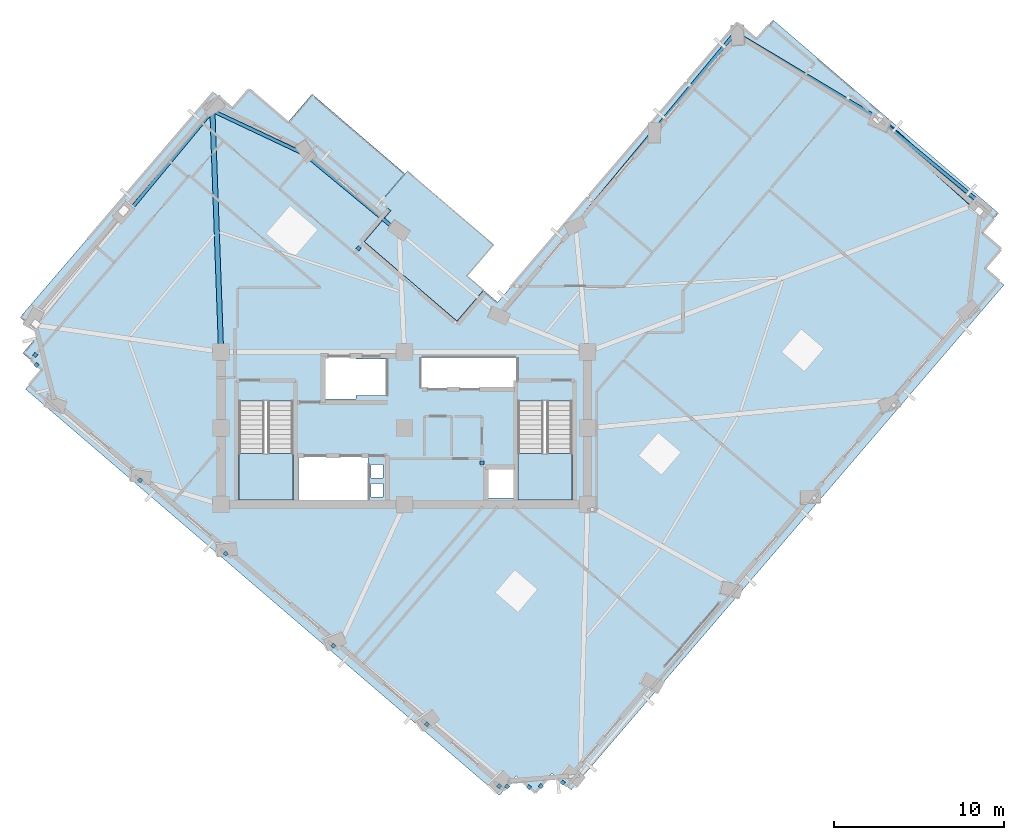
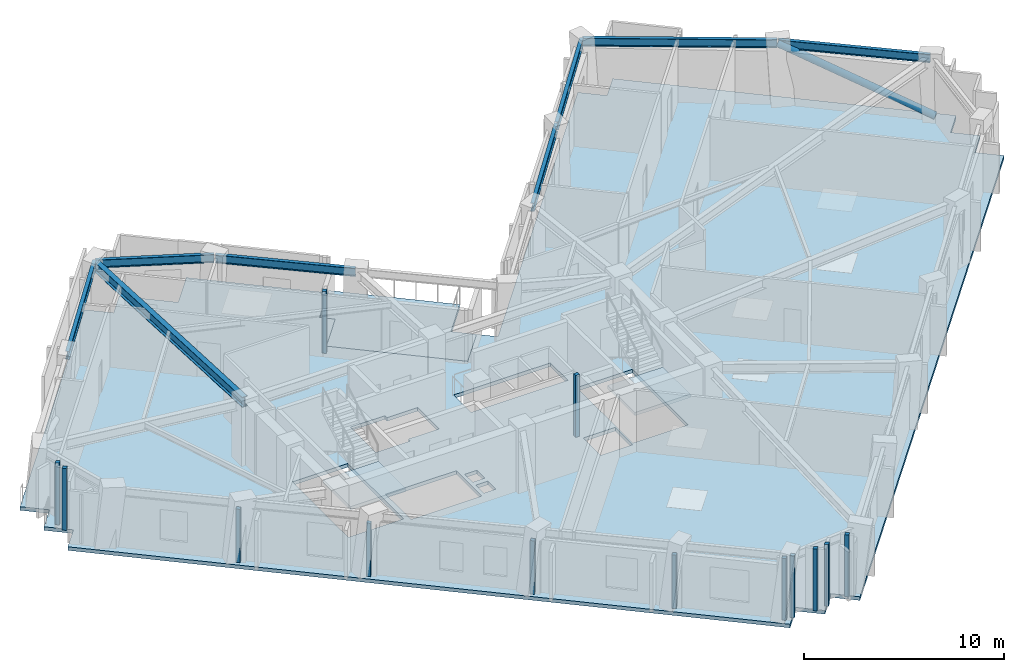
# One storey, part 3 of 12: 13 plates, 8 beams, 4 slabs, 1 member, 2 elements without a shape of their own.
"""IFC4 building model written with IfcOpenShell, lengths in metres."""

from ifc_helpers import new_model, si_unit, direction, frame, origin, origin_2d, place, context, subcontext, project, spatial, polyline, rectangle, hollow_circle, i_section, outline, extrude, material, layer, layer_set, material_profile, profile_set, type_object, element, aggregate, save


model = new_model("IFC4")

# Units and contexts
model_context = context("Model", 3, precision=1e-05, world=origin(), true_north=direction((0.0, 1.0)))
body_context = subcontext(model_context, "Body", "Model", "MODEL_VIEW")
ifc_project = project(units=[si_unit("LENGTHUNIT", "METRE"), si_unit("AREAUNIT", "SQUARE_METRE"), si_unit("VOLUMEUNIT", "CUBIC_METRE"), si_unit("PLANEANGLEUNIT", "RADIAN"), si_unit("MASSUNIT", "GRAM", prefix="KILO")], contexts=[model_context])

# Site, building, storey
site_placement = place(None, origin())
site = spatial("IfcSite", under=ifc_project, at=site_placement, CompositionType="ELEMENT")
building_placement = place(site_placement, origin())
building = spatial("IfcBuilding", under=site, at=building_placement, Name="Gaonmaruhae Medical Tower", CompositionType="ELEMENT")
storey_placement = place(building_placement, frame((0.0, 0.0, 235.199951171875)))
storey = spatial("IfcBuildingStorey", under=building, at=storey_placement, Name="L56", CompositionType="ELEMENT", Elevation=235.199951171875)

# Member
ifc_material_1 = material(Name="Steel SM420", Category="steel")
ifc_material_profile_1 = material_profile(ifc_material_1, hollow_circle(Radius=0.203125, WallThickness=0.0126953125, at=origin_2d()), Name="CHS-406.4x12.7")
ifc_profile_set_1 = profile_set([ifc_material_profile_1], Name="Steel SM420")
member_type = type_object("IfcMemberType", Name="PB-02 Perimeter Solid-Bay Tube Brace Mid (CHS-406.4x12.7)", PredefinedType="BRACE", material=ifc_profile_set_1)
member_placement = place(storey_placement, frame((58.74755859375, 25.1748046875, 0.25), z_axis=(-0.689819410714, 0.618592014787, 0.376155685646), x_axis=(-0.667624728673, -0.744497966192, 0.0)))
element("IfcMember", 1, at=member_placement, inside=storey, type_object=member_type, Name="L56 Perimeter Tube Solid-Bay Brace E01-E02", PredefinedType="BRACE", context=body_context, shape_type="SweptSolid", body=[
    extrude(hollow_circle(Radius=0.203125, WallThickness=0.0126953125, at=origin_2d()), origin(), (0.0, 0.0, 1.0), 8.719970703125),
])

# Beams
ifc_material_profile_2 = material_profile(ifc_material_1, i_section(OverallWidth=0.300048828125, OverallDepth=0.60009765625, WebThickness=0.011962890625, FlangeThickness=0.02001953125, FilletRadius=0.012939453125, at=origin_2d()), Name="H-600x300x12x20")
ifc_profile_set_2 = profile_set([ifc_material_profile_2], Name="Steel SM420")
beam_type_1 = type_object("IfcBeamType", Name="PG-04 Zone 4 Radial Floor Girder (H-600x300x12x20)", PredefinedType="BEAM", material=ifc_profile_set_2)
beam_1_placement = place(storey_placement, frame((13.998291015625, 16.849853515625, 3.47998046875), z_axis=(-0.036027592816, 0.999350795545, 0.0), x_axis=(-0.999350795545, -0.036027592816, 0.0)))
element("IfcBeam", 2, at=beam_1_placement, inside=storey, type_object=beam_type_1, Name="L56 Radial Primary Girder N01", PredefinedType="BEAM", context=body_context, shape_type="SweptSolid", body=[
    extrude(i_section(OverallWidth=0.300048828125, OverallDepth=0.60009765625, WebThickness=0.011962890625, FlangeThickness=0.02001953125, FilletRadius=0.012939453125, at=origin_2d()), origin(), (0.0, 0.0, 1.0), 14.122314453125),
])
ifc_material_2 = material(Name="Steel SM355", Category="steel")
ifc_material_profile_3 = material_profile(ifc_material_2, i_section(OverallWidth=0.199951171875, OverallDepth=0.5, WebThickness=0.010009765625, FlangeThickness=0.01611328125, FilletRadius=0.012939453125, at=origin_2d()), Name="H-500x200x10x16")
ifc_profile_set_3 = profile_set([ifc_material_profile_3], Name="Steel SM355")
beam_type_2 = type_object("IfcBeamType", Name="SP-02 Upper Perimeter Spandrel Beam (H-500x200x10x16)", PredefinedType="SPANDREL", material=ifc_profile_set_3)
beam_2_placement = place(storey_placement, frame((58.707275390625, 25.6171875, 3.530029296875), z_axis=(-0.769962961925, 0.638088581048, 0.0), x_axis=(-0.638088581048, -0.769962961925, 0.0)))
element("IfcBeam", 3, at=beam_2_placement, inside=storey, type_object=beam_type_2, Name="L56 Perimeter Spandrel Beam E01-E02", PredefinedType="SPANDREL", context=body_context, shape_type="SweptSolid", body=[
    extrude(i_section(OverallWidth=0.199951171875, OverallDepth=0.5, WebThickness=0.010009765625, FlangeThickness=0.01611328125, FilletRadius=0.012939453125, at=origin_2d()), origin(), (0.0, 0.0, 1.0), 7.719970703125),
])
beam_3_placement = place(storey_placement, frame((52.697998046875, 30.58935546875, 3.530029296875), z_axis=(-0.858427487106, 0.51293493679, 0.0), x_axis=(-0.51293493679, -0.858427487106, 0.0)))
element("IfcBeam", 4, at=beam_3_placement, inside=storey, type_object=beam_type_2, Name="L56 Perimeter Spandrel Beam E02-E03", PredefinedType="SPANDREL", context=body_context, shape_type="SweptSolid", body=[
    extrude(i_section(OverallWidth=0.199951171875, OverallDepth=0.5, WebThickness=0.010009765625, FlangeThickness=0.01611328125, FilletRadius=0.012939453125, at=origin_2d()), origin(), (0.0, 0.0, 1.0), 9.7353515625),
])
beam_4_placement = place(storey_placement, frame((44.281005859375, 35.572509765625, 3.530029296875), z_axis=(-0.638105342571, -0.769949070902, 0.0), x_axis=(0.769949070902, -0.638105342571, 0.0)))
element("IfcBeam", 5, at=beam_4_placement, inside=storey, type_object=beam_type_2, Name="L56 Perimeter Spandrel Beam E03-EN01", PredefinedType="SPANDREL", context=body_context, shape_type="SweptSolid", body=[
    extrude(i_section(OverallWidth=0.199951171875, OverallDepth=0.5, WebThickness=0.010009765625, FlangeThickness=0.01611328125, FilletRadius=0.012939453125, at=origin_2d()), origin(), (0.0, 0.0, 1.0), 7.469970703125),
])
for number, where, z_axis, x_axis, name in (
    (6, (39.46337890625, 29.759521484375, 3.530029296875), (-0.638087569109, -0.769963800545, 0.0), (0.769963800545, -0.638087569109, 0.0), "L56 Perimeter Spandrel Beam EN01-EN02"),
    (7, (24.4619140625, 23.8662109375, 3.510009765625), (-0.769963800545, 0.638087569109, 0.0), (-0.638087569109, -0.769963800545, 0.0), "L56 Perimeter Spandrel Beam NE01-NE02"),
):
    element("IfcBeam", number, at=place(storey_placement, frame(where, z_axis=z_axis, x_axis=x_axis)), inside=storey, type_object=beam_type_2, Name=name, PredefinedType="SPANDREL", context=body_context, shape_type="SweptSolid", body=[
        extrude(i_section(OverallWidth=0.199951171875, OverallDepth=0.5, WebThickness=0.010009765625, FlangeThickness=0.01611328125, FilletRadius=0.012939453125, at=origin_2d()), origin(), (0.0, 0.0, 1.0), 7.1201171875),
    ])
beam_5_placement = place(storey_placement, frame((18.912841796875, 28.451904296875, 3.530029296875), z_axis=(-0.904301808561, 0.426893709292, 0.0), x_axis=(-0.426893709292, -0.904301808561, 0.0)))
element("IfcBeam", 8, at=beam_5_placement, inside=storey, type_object=beam_type_2, Name="L56 Perimeter Spandrel Beam NE02-N01", PredefinedType="SPANDREL", context=body_context, shape_type="SweptSolid", body=[
    extrude(i_section(OverallWidth=0.199951171875, OverallDepth=0.5, WebThickness=0.010009765625, FlangeThickness=0.01611328125, FilletRadius=0.012939453125, at=origin_2d()), origin(), (0.0, 0.0, 1.0), 5.959228515625),
])
beam_6_placement = place(storey_placement, frame((13.462158203125, 30.98193359375, 3.530029296875), z_axis=(-0.638105979636, -0.769948542926, 0.0), x_axis=(0.769948542926, -0.638105979636, 0.0)))
element("IfcBeam", 9, at=beam_6_placement, inside=storey, type_object=beam_type_2, Name="L56 Perimeter Spandrel Beam N01-N02", PredefinedType="SPANDREL", context=body_context, shape_type="SweptSolid", body=[
    extrude(i_section(OverallWidth=0.199951171875, OverallDepth=0.5, WebThickness=0.010009765625, FlangeThickness=0.01611328125, FilletRadius=0.012939453125, at=origin_2d()), origin(), (0.0, 0.0, 1.0), 8.119873046875),
])

# Slab
ifc_material_3 = material(Name="Concrete C40/50", Category="concrete")
ifc_layer_1 = layer(ifc_material_3, 0.219970703125)
ifc_layer_set_1 = layer_set([ifc_layer_1], Name="Concrete C40/50")
slab_type_1 = type_object("IfcSlabType", Name="FS-220 Clinical Ward Composite Floor Slab", PredefinedType="FLOOR", material=ifc_layer_set_1)
slab_1_placement = place(storey_placement, frame((0.0, 0.0, -0.219970703125)))
element("IfcSlab", 10, at=slab_1_placement, inside=storey, type_object=slab_type_1, Name="L56 Structural Slab 1", PredefinedType="FLOOR", context=body_context, shape_type="SweptSolid", body=[
    extrude(outline(polyline([(44.424560546875, 36.199951171875), (45.5634765625, 35.223876953125), (46.53955078125, 36.36279296875), (59.826904296875, 24.97412109375), (58.8505859375, 23.835205078125), (59.989501953125, 22.859130859375), (59.013427734375, 21.72021484375), (60.15234375, 20.743896484375), (34.64208984375, -9.019287109375), (33.503173828125, -8.043212890625), (32.527099609375, -9.18212890625), (31.38818359375, -8.2060546875), (30.411865234375, -9.344970703125), (2.470703125, 14.603515625), (3.447021484375, 15.742431640625), (2.30810546875, 16.718505859375), (3.2841796875, 17.857421875), (2.145263671875, 18.833740234375), (13.53369140625, 32.120849609375), (14.672607421875, 31.144775390625), (15.648681640625, 32.28369140625), (17.93115234375, 30.327392578125), (19.36279296875, 31.997802734375), (24.82958984375, 27.312255859375), (23.39794921875, 25.641845703125), (24.00537109375, 25.121337890625), (22.443603515625, 23.299072265625), (27.910400390625, 18.61328125), (29.47216796875, 20.435791015625), (30.302734375, 19.723876953125), (44.424560546875, 36.199951171875)]), holes=[polyline([(23.550048828125, 8.25), (22.85009765625, 8.25), (22.85009765625, 9.050048828125), (23.550048828125, 9.050048828125), (23.550048828125, 8.25)]), polyline([(31.425048828125, 9.925048828125), (31.425048828125, 8.175048828125), (29.574951171875, 8.175048828125), (29.574951171875, 9.925048828125), (31.425048828125, 9.925048828125)]), polyline([(22.64990234375, 10.625), (22.64990234375, 8.074951171875), (18.550048828125, 8.074951171875), (18.550048828125, 10.625), (22.64990234375, 10.625)]), polyline([(23.550048828125, 9.35009765625), (22.85009765625, 9.35009765625), (22.85009765625, 10.14990234375), (23.550048828125, 10.14990234375), (23.550048828125, 9.35009765625)]), polyline([(15.050048828125, 13.889892578125), (18.25, 13.889892578125), (18.25, 8.300048828125), (15.050048828125, 8.300048828125), (15.050048828125, 13.889892578125)]), polyline([(31.5, 13.889892578125), (34.699951171875, 13.889892578125), (34.699951171875, 8.300048828125), (31.5, 8.300048828125), (31.5, 13.889892578125)]), polyline([(21.949951171875, 14.22509765625), (21.949951171875, 14.02490234375), (19.949951171875, 14.02490234375), (19.949951171875, 16.574951171875), (21.949951171875, 16.574951171875), (21.949951171875, 16.375), (23.72509765625, 16.375), (23.72509765625, 14.22509765625), (21.949951171875, 14.22509765625)]), polyline([(31.425048828125, 16.425048828125), (31.425048828125, 14.675048828125), (25.824951171875, 14.675048828125), (25.824951171875, 16.425048828125), (31.425048828125, 16.425048828125)])]), origin(), (0.0, 0.0, 1.0), 0.219970703125),
])

# Plates
ifc_material_4 = material(Name="Anodised aluminium 6063-T6", Category="aluminium")
ifc_layer_2 = layer(ifc_material_4, 0.011962890625)
ifc_layer_set_2 = layer_set([ifc_layer_2], Name="Anodised aluminium 6063-T6")
plate_type = type_object("IfcPlateType", Name="PP-01 Interior Partition Corner Stiffener Plate", PredefinedType="SHEET", material=ifc_layer_set_2)
for number, where, z_axis, x_axis, name in (
    (11, (29.3798828125, 10.260009765625, 0.0), (0.0, 0.0, 1.0), (0.0, -1.0, 0.0), "L56 Partition Corner Stiffener Plate PLT-L56-JGP-PW002"),
    (12, (32.152099609375, -8.861083984375, 0.0), (0.0, 0.0, 1.0), (-0.759680050934, 0.650297024607, 0.0), "L56 Partition Corner Stiffener Plate PLT-L56-JGP-PW008"),
    (13, (30.863037109375, -8.818115234375, 0.0), (0.0, 0.0, 1.0), (-0.650509141939, -0.759498424128, 0.0), "L56 Partition Corner Stiffener Plate PLT-L56-JGP-PW009"),
    (14, (30.392578125, -8.801025390625, 0.0), (0.0, 0.0, 1.0), (-0.758680370771, 0.651463041935, 0.0), "L56 Partition Corner Stiffener Plate PLT-L56-JGP-PW010"),
):
    element("IfcPlate", number, at=place(storey_placement, frame(where, z_axis=z_axis, x_axis=x_axis)), inside=storey, type_object=plate_type, Name=name, PredefinedType="SHEET", context=body_context, shape_type="SweptSolid", body=[
        extrude(rectangle(XDim=0.219970703125, YDim=0.219970703125, at=origin_2d()), origin(), (0.0, 0.0, 1.0), 3.780029296875),
    ])
plate_placement = place(storey_placement, frame((26.136962890625, -5.154052734375, 0.0), z_axis=(0.0, 0.0, 1.0), x_axis=(-0.758884996479, 0.651224663322, 0.0)))
element("IfcPlate", 15, at=plate_placement, inside=storey, type_object=plate_type, Name="L56 Partition Corner Stiffener Plate PLT-L56-JGP-PW011", PredefinedType="SHEET", context=body_context, shape_type="SweptSolid", body=[
    extrude(rectangle(XDim=0.219970703125, YDim=0.219970703125, at=origin_2d()), origin(), (0.0, 0.0, 1.0), 3.264892578125),
])
for number, where, z_axis, x_axis, name in (
    (16, (34.1455078125, -8.593994140625, 0.0), (0.0, 0.0, 1.0), (-0.759680050934, 0.650297024607, 0.0), "L56 Partition Corner Stiffener Plate PLT-L56-JGP-PW016"),
    (17, (32.847900390625, -8.8076171875, 0.0), (0.0, 0.0, 1.0), (-0.650787468951, -0.759259949066, 0.0), "L56 Partition Corner Stiffener Plate PLT-L56-JGP-PW017"),
):
    element("IfcPlate", number, at=place(storey_placement, frame(where, z_axis=z_axis, x_axis=x_axis)), inside=storey, type_object=plate_type, Name=name, PredefinedType="SHEET", context=body_context, shape_type="SweptSolid", body=[
        extrude(rectangle(XDim=0.219970703125, YDim=0.219970703125, at=origin_2d()), origin(), (0.0, 0.0, 1.0), 3.780029296875),
    ])
for number, where, z_axis, x_axis, name in (
    (18, (20.617919921875, -0.529541015625, 0.0), (0.0, 0.0, 1.0), (-0.758987281247, 0.651105449912, 0.0), "L56 Partition Corner Stiffener Plate PLT-L56-JGP-PW041"),
    (19, (14.279052734375, 4.904541015625, 0.0), (0.0, 0.0, 1.0), (-0.759702750119, 0.650270506375, 0.0), "L56 Partition Corner Stiffener Plate PLT-L56-JGP-PW042"),
    (20, (9.23046875, 9.23193359375, 0.0), (0.0, 0.0, 1.0), (-0.759259949066, 0.650787468951, 0.0), "L56 Partition Corner Stiffener Plate PLT-L56-JGP-PW047"),
):
    element("IfcPlate", number, at=place(storey_placement, frame(where, z_axis=z_axis, x_axis=x_axis)), inside=storey, type_object=plate_type, Name=name, PredefinedType="SHEET", context=body_context, shape_type="SweptSolid", body=[
        extrude(rectangle(XDim=0.219970703125, YDim=0.219970703125, at=origin_2d()), origin(), (0.0, 0.0, 1.0), 3.264892578125),
    ])
for number, where, z_axis, x_axis, name in (
    (21, (3.114990234375, 16.027099609375, 0.0), (0.0, 0.0, 1.0), (-0.758771324776, 0.651357103821, 0.0), "L56 Partition Corner Stiffener Plate PLT-L56-JGP-PW050"),
    (22, (3.04248046875, 16.614501953125, 0.0), (0.0, 0.0, 1.0), (0.651105449912, 0.758987281247, 0.0), "L56 Partition Corner Stiffener Plate PLT-L56-JGP-PW051"),
    (23, (22.10498046875, 22.904541015625, 0.0), (0.0, 0.0, 1.0), (-0.650363316722, -0.75962329892, 0.0), "L56 Partition Corner Stiffener Plate PLT-L56-JGP-PW071"),
):
    element("IfcPlate", number, at=place(storey_placement, frame(where, z_axis=z_axis, x_axis=x_axis)), inside=storey, type_object=plate_type, Name=name, PredefinedType="SHEET", context=body_context, shape_type="SweptSolid", body=[
        extrude(rectangle(XDim=0.219970703125, YDim=0.219970703125, at=origin_2d()), origin(), (0.0, 0.0, 1.0), 3.780029296875),
    ])

# Stair, slab
stair_type = type_object("IfcStairType", Name="ST-T1 Primary Core Escape Dogleg Stair", PredefinedType="TWO_QUARTER_TURN_STAIR", material=ifc_material_3)
stair_1_placement = place(storey_placement, origin())
stair_1 = element("IfcStair", 24, at=stair_1_placement, inside=storey, type_object=stair_type, Name="L56 Protected Escape Stair ST-01", PredefinedType="TWO_QUARTER_TURN_STAIR")
ifc_layer_3 = layer(ifc_material_3, 0.199951171875)
ifc_layer_set_3 = layer_set([ifc_layer_3], Name="Concrete C40/50")
slab_type_2 = type_object("IfcSlabType", Name="SL-200 Stair & Ramp Intermediate Concrete Landing", PredefinedType="LANDING", material=ifc_layer_set_3)
slab_2_placement = place(storey_placement, frame((0.0, 0.0, 1.800048828125)))
slab_2 = element("IfcSlab", 25, at=slab_2_placement, type_object=slab_type_2, Name="ST-01 landing 1", PredefinedType="LANDING", context=body_context, shape_type="SweptSolid", body=[
    extrude(outline(polyline([(15.050048828125, 10.820068359375), (15.050048828125, 8.0791015625), (18.25, 8.0791015625), (18.25, 10.820068359375), (15.050048828125, 10.820068359375)])), origin(), (0.0, 0.0, 1.0), 0.199951171875),
])
aggregate(stair_1, [slab_2])

stair_2_placement = place(storey_placement, origin())
stair_2 = element("IfcStair", 26, at=stair_2_placement, inside=storey, type_object=stair_type, Name="L56 Protected Escape Stair ST-02", PredefinedType="TWO_QUARTER_TURN_STAIR")
slab_3_placement = place(storey_placement, frame((0.0, 0.0, 1.800048828125)))
slab_3 = element("IfcSlab", 27, at=slab_3_placement, type_object=slab_type_2, Name="ST-02 landing 1", PredefinedType="LANDING", context=body_context, shape_type="SweptSolid", body=[
    extrude(outline(polyline([(31.5, 10.820068359375), (31.5, 8.0791015625), (34.699951171875, 8.0791015625), (34.699951171875, 10.820068359375), (31.5, 10.820068359375)])), origin(), (0.0, 0.0, 1.0), 0.199951171875),
])
aggregate(stair_2, [slab_3])

# Slab
ifc_layer_4 = layer(ifc_material_3, 0.239990234375)
ifc_layer_set_4 = layer_set([ifc_layer_4], Name="Concrete C40/50")
slab_type_3 = type_object("IfcSlabType", Name="TS-240 Sky Garden & Recovery Terrace Slab", PredefinedType="FLOOR", material=ifc_layer_set_4)
slab_4_placement = place(storey_placement, frame((0.0, 0.0, -0.239990234375)))
element("IfcSlab", 28, at=slab_4_placement, inside=storey, type_object=slab_type_3, Name="L56 Outdoor Recovery Terrace Slab", PredefinedType="FLOOR", context=body_context, shape_type="SweptSolid", body=[
    extrude(outline(polyline([(29.47216796875, 20.435791015625), (28.48046875, 21.28564453125), (30.04248046875, 23.10791015625), (24.97509765625, 27.451171875), (23.4130859375, 25.62890625), (24.00537109375, 25.121337890625), (22.443603515625, 23.299072265625), (27.91015625, 18.613525390625), (29.47216796875, 20.435791015625)])), origin(), (0.0, 0.0, 1.0), 0.239990234375),
])

save(model, "model.ifc")
